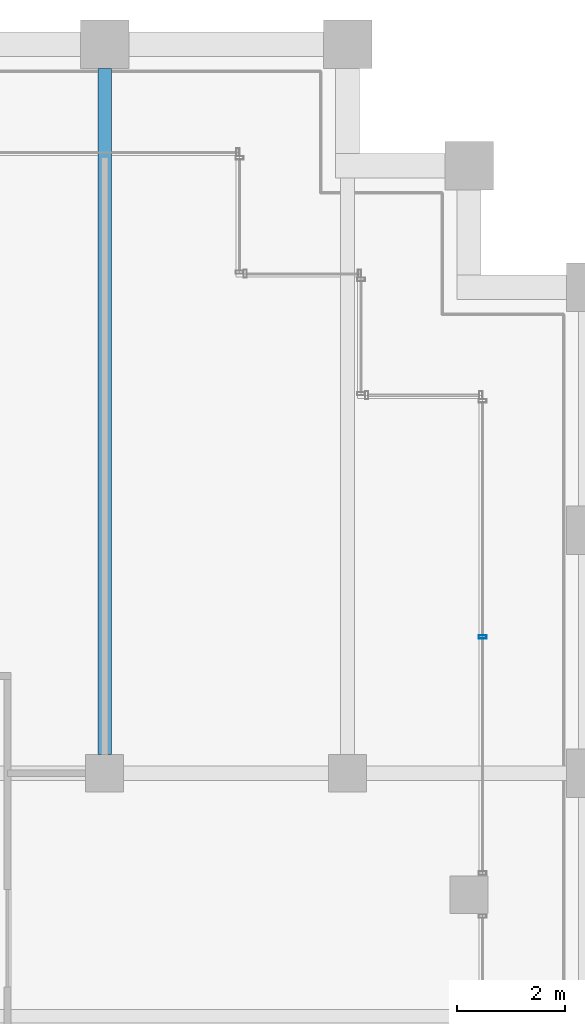
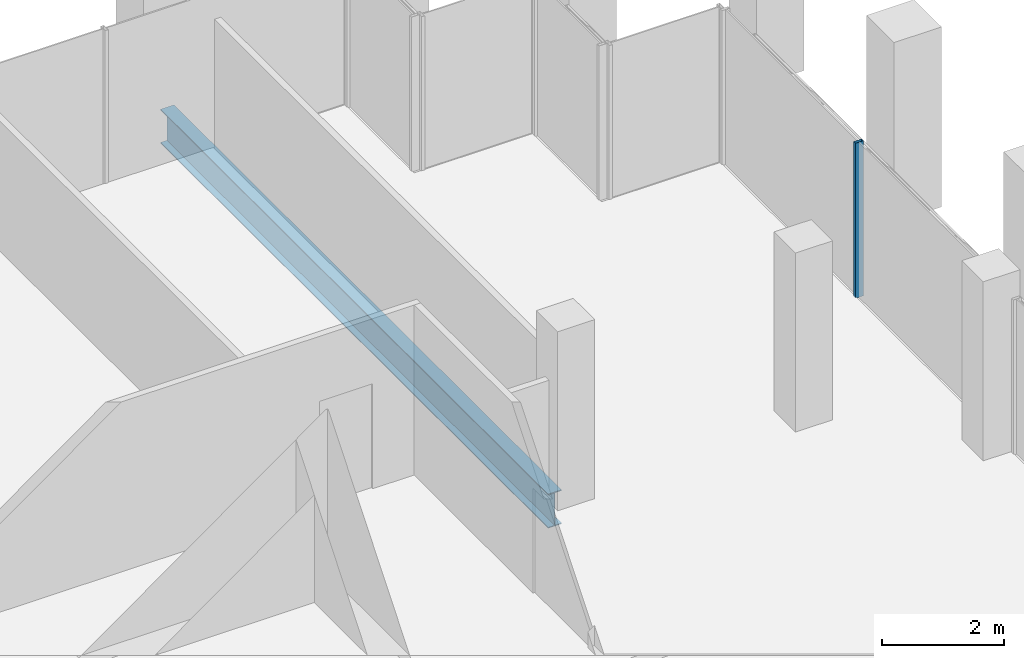
# One storey, part 24 of 40: 1 beam, 1 member, 1 element without a shape of its own.
"""IFC4 building model written with IfcOpenShell, lengths in metres."""

import ifcopenshell
import ifcopenshell.guid

model = None  # the IFC model being written
_history = None  # IfcOwnerHistory: only IFC2X3 demands one
_inside = {}  # id of a spatial element -> (the spatial element, [elements in it])
_under = {}  # id of a project, library or spatial element -> (it, [spatial elements below it])
_declared = {}  # id of a project -> (the project, [libraries it declares])
_typed = {}  # id of a type object -> (the type object, [elements of that type])
_made_of = {}  # id of a material, layer set ... -> (it, [elements and type objects made of it])


def new_model(schema):
    """Start an empty IFC model of exactly this schema.

    Asked for "IFC4X3", IfcOpenShell would pick the latest addendum, in which some entities
    have other attributes; the version numbers below select the first issue.
    IFC2X3 requires an IfcOwnerHistory on every rooted entity: one is made here for all.
    """
    global model, _history
    if schema == "IFC4X3":
        model = ifcopenshell.file(schema_version=(4, 3, 0, 0))
    else:
        model = ifcopenshell.file(schema=schema)
    _inside.clear()
    _under.clear()
    _declared.clear()
    _typed.clear()
    _made_of.clear()
    _history = None
    if model.schema == "IFC2X3":
        org = make("IfcOrganization", Name="unknown")
        user = make(
            "IfcPersonAndOrganization",
            ThePerson=make("IfcPerson", FamilyName="unknown"),
            TheOrganization=org,
        )
        app = make(
            "IfcApplication",
            ApplicationDeveloper=org,
            Version="unknown",
            ApplicationFullName="unknown",
            ApplicationIdentifier="unknown",
        )
        _history = make(
            "IfcOwnerHistory",
            OwningUser=user,
            OwningApplication=app,
            ChangeAction="ADDED",
            CreationDate=0,
        )
    return model


def make(cls, **values):
    """One entity of the class cls with the attributes given. An attribute that is None is left unset."""
    return model.create_entity(
        cls, **{name: value for name, value in values.items() if value is not None}
    )


def rooted(cls, **values):
    """An entity with a GlobalId (a new one), such as an element, a storey or a relation."""
    return make(cls, GlobalId=ifcopenshell.guid.new(), OwnerHistory=_history, **values)


def si_unit(unit_type, name, prefix=None):
    """IfcSIUnit, for example si_unit("LENGTHUNIT", "METRE", prefix="MILLI")."""
    return make("IfcSIUnit", UnitType=unit_type, Prefix=prefix, Name=name)


def assignment(units):
    """IfcUnitAssignment: the units of a project."""
    return None if units is None else make("IfcUnitAssignment", Units=units)


def point(xyz):
    """IfcCartesianPoint."""
    return None if xyz is None else make("IfcCartesianPoint", Coordinates=xyz)


def direction(xyz):
    """IfcDirection."""
    return None if xyz is None else make("IfcDirection", DirectionRatios=xyz)


def frame(location, z_axis=None, x_axis=None):
    """IfcAxis2Placement3D, a coordinate frame: its origin and axes. An axis left out is left unset."""
    return make(
        "IfcAxis2Placement3D",
        Location=point(location),
        Axis=direction(z_axis),
        RefDirection=direction(x_axis),
    )


def frame_2d(location, x_axis=None):
    """IfcAxis2Placement2D, a coordinate frame in the plane: its origin and x axis."""
    return make(
        "IfcAxis2Placement2D", Location=point(location), RefDirection=direction(x_axis)
    )


def origin():
    """The frame at (0, 0, 0) with its axes left unset."""
    return frame((0.0, 0.0, 0.0))


def origin_2d():
    """The frame at (0, 0) in the plane with its x axis left unset."""
    return frame_2d((0.0, 0.0))


def place(relative_to, where):
    """IfcLocalPlacement: puts the frame where relative to a parent placement (None: the world)."""
    return make(
        "IfcLocalPlacement", PlacementRelTo=relative_to, RelativePlacement=where
    )


def context(
    kind, dimensions, precision=None, world=None, true_north=None, identifier=None
):
    """IfcGeometricRepresentationContext, for example the 3D "Model" context."""
    return make(
        "IfcGeometricRepresentationContext",
        ContextIdentifier=identifier,
        ContextType=kind,
        CoordinateSpaceDimension=dimensions,
        Precision=precision,
        WorldCoordinateSystem=world,
        TrueNorth=true_north,
    )


def subcontext(parent, identifier, kind, view, scale=None):
    """IfcGeometricRepresentationSubContext, for example "Body" below "Model"."""
    return make(
        "IfcGeometricRepresentationSubContext",
        ContextIdentifier=identifier,
        ContextType=kind,
        ParentContext=parent,
        TargetScale=scale,
        TargetView=view,
    )


def project(units=None, contexts=None):
    """IfcProject with its units and contexts."""
    return rooted(
        "IfcProject",
        Name="project",
        RepresentationContexts=contexts,
        UnitsInContext=assignment(units),
    )


def spatial(cls, under=None, at=None, **own):
    """A site, building, storey or space (cls), placed at a placement, below another one or the project."""
    s = rooted(cls, ObjectPlacement=at, **own)
    if under is not None:
        _under.setdefault(under.id(), (under, []))[1].append(s)
    return s


def profile(cls, at=None, kind="AREA", **sizes):
    """A parametric profile (cls). Its sizes go by their IFC names, for example OverallWidth=200.0."""
    return make(cls, ProfileType=kind, Position=at, **sizes)


def hollow_rectangle(**sizes):
    """IfcRectangleHollowProfileDef."""
    return profile("IfcRectangleHollowProfileDef", **sizes)


def i_section(**sizes):
    """IfcIShapeProfileDef."""
    return profile("IfcIShapeProfileDef", **sizes)


def extrude(swept, where, along, depth):
    """IfcExtrudedAreaSolid: the profile swept, set in the frame where, extruded along a direction by depth."""
    return make(
        "IfcExtrudedAreaSolid",
        SweptArea=swept,
        Position=where,
        ExtrudedDirection=direction(along),
        Depth=depth,
    )


def shape(context_of_items, identifier, shape_type, items):
    """IfcShapeRepresentation: the items that make up one representation, for example the "Body"."""
    return make(
        "IfcShapeRepresentation",
        ContextOfItems=context_of_items,
        RepresentationIdentifier=identifier,
        RepresentationType=shape_type,
        Items=items,
    )


def material(Name=None, Category=None):
    """IfcMaterial."""
    return make("IfcMaterial", Name=Name, Category=Category)


def material_profile(
    of_material, cross_section, Name=None, Category=None, Priority=None
):
    """IfcMaterialProfile: a cross section and its material."""
    return make(
        "IfcMaterialProfile",
        Name=Name,
        Material=of_material,
        Profile=cross_section,
        Priority=Priority,
        Category=Category,
    )


def profile_set(profiles, Name=None, composite=None):
    """IfcMaterialProfileSet."""
    return make(
        "IfcMaterialProfileSet",
        Name=Name,
        MaterialProfiles=profiles,
        CompositeProfile=composite,
    )


def made_of(thing, what):
    """Note that an element or type object is made of a material, layer set ...; save() writes the relation."""
    if what is not None:
        _made_of.setdefault(what.id(), (what, []))[1].append(thing)
    return thing


def type_object(cls, material=None, **own):
    """A type object (cls), such as IfcWallType, which elements share."""
    return made_of(rooted(cls, **own), material)


def element(
    cls,
    number,
    at=None,
    inside=None,
    cuts=None,
    type_object=None,
    material=None,
    context=None,
    identifier="Body",
    shape_type=None,
    held_by="IfcProductDefinitionShape",
    body=None,
    shapes=None,
    **own,
):
    """One element of the class cls, such as IfcWall. Its Tag is "e" and its number.

    at: its placement. inside: the storey or other place that contains it. cuts: it is an
    opening in that element (IfcRelVoidsElement). A single representation is given by context,
    identifier, shape_type and body (its items); several are given by shapes. held_by: the class
    of the entity that holds the representations. save() writes the other relations.
    """
    e = rooted(cls, Tag="e%d" % number, ObjectPlacement=at, **own)
    if body is not None:
        shapes = [shape(context, identifier, shape_type, body)]
    if shapes is not None:
        e.Representation = make(held_by, Representations=shapes)
    if inside is not None:
        _inside.setdefault(inside.id(), (inside, []))[1].append(e)
    if cuts is not None:
        rooted(
            "IfcRelVoidsElement", RelatingBuildingElement=cuts, RelatedOpeningElement=e
        )
    if type_object is not None:
        _typed.setdefault(type_object.id(), (type_object, []))[1].append(e)
    return made_of(e, material)


def aggregate(whole, parts):
    """IfcRelAggregates: a whole, such as a stair, and the parts it consists of."""
    return rooted("IfcRelAggregates", RelatingObject=whole, RelatedObjects=parts)


def save(model, path):
    """Write the relations noted so far, then the file.

    IfcRelAggregates (storeys below a building ...), IfcRelContainedInSpatialStructure (elements
    in a storey), IfcRelDefinesByType, IfcRelAssociatesMaterial and IfcRelDeclares: one each for
    every whole, place, type object, material and project.
    """
    for whole, parts in _under.values():
        aggregate(whole, parts)
    for where, things in _inside.values():
        rooted(
            "IfcRelContainedInSpatialStructure",
            RelatedElements=things,
            RelatingStructure=where,
        )
    for kind, things in _typed.values():
        rooted("IfcRelDefinesByType", RelatedObjects=things, RelatingType=kind)
    for what, things in _made_of.values():
        rooted("IfcRelAssociatesMaterial", RelatedObjects=things, RelatingMaterial=what)
    for by, libraries in _declared.values():
        rooted("IfcRelDeclares", RelatingContext=by, RelatedDefinitions=libraries)
    model.write(path)


model = new_model("IFC4")

# Units and contexts
model_context = context("Model", 3, precision=1e-05, world=origin(), true_north=direction((0.0, 1.0)))
body_context = subcontext(model_context, "Body", "Model", "MODEL_VIEW")
ifc_project = project(units=[si_unit("LENGTHUNIT", "METRE"), si_unit("AREAUNIT", "SQUARE_METRE"), si_unit("VOLUMEUNIT", "CUBIC_METRE"), si_unit("PLANEANGLEUNIT", "RADIAN"), si_unit("MASSUNIT", "GRAM", prefix="KILO")], contexts=[model_context])

# Site, building, storey
site_placement = place(None, origin())
site = spatial("IfcSite", under=ifc_project, at=site_placement, CompositionType="ELEMENT")
building_placement = place(site_placement, origin())
building = spatial("IfcBuilding", under=site, at=building_placement, Name="Altepetl Exchange Towers", CompositionType="ELEMENT")
storey_placement = place(building_placement, frame((0.0, 0.0, 187.0)))
storey = spatial("IfcBuildingStorey", under=building, at=storey_placement, Name="L47", CompositionType="ELEMENT", Elevation=187.0)

# Beam
ifc_material_1 = material(Name="Steel S355", Category="steel")
ifc_material_profile_1 = material_profile(ifc_material_1, i_section(OverallWidth=0.25390625, OverallDepth=0.68408203125, WebThickness=0.012451171875, FlangeThickness=0.018798828125, at=origin_2d()), Name="W27X94")
ifc_profile_set_1 = profile_set([ifc_material_profile_1], Name="Steel S355")
beam_type = type_object("IfcBeamType", Name="Floor beam W27X94", PredefinedType="BEAM", material=ifc_profile_set_1)
beam_placement = place(storey_placement, frame((63.0, 58.85009765625, -0.491943359375), z_axis=(0.0, 1.0, 0.0), x_axis=(-1.0, 0.0, 0.0)))
element("IfcBeam", 1, at=beam_placement, inside=storey, type_object=beam_type, Name="bm:A:L47:004", PredefinedType="BEAM", context=body_context, shape_type="SweptSolid", body=[
    extrude(i_section(OverallWidth=0.25390625, OverallDepth=0.68408203125, WebThickness=0.012451171875, FlangeThickness=0.018798828125, at=origin_2d()), origin(), (0.0, 0.0, 1.0), 12.699951171875),
])

# Curtain wall, member
ifc_material_2 = material(Name="Aluminium 6063-T6 glazing", Category="aluminium")
curtain_wall_type = type_object("IfcCurtainWallType", Name="Loggia glazing system", PredefinedType="NOTDEFINED", material=ifc_material_2)
curtain_wall_placement = place(storey_placement, origin())
curtain_wall = element("IfcCurtainWall", 2, at=curtain_wall_placement, inside=storey, type_object=curtain_wall_type, Name="CW1 run", PredefinedType="NOTDEFINED")
ifc_material_3 = material(Name="Aluminium 6063-T6", Category="aluminium")
ifc_material_profile_2 = material_profile(ifc_material_3, hollow_rectangle(XDim=0.06005859375, YDim=0.14990234375, WallThickness=0.0029296875, at=origin_2d()), Name="Mullion 60x150 aluminium")
ifc_profile_set_2 = profile_set([ifc_material_profile_2], Name="Aluminium 6063-T6")
member_type = type_object("IfcMemberType", Name="Mullion 60x150 aluminium", PredefinedType="MULLION", material=ifc_profile_set_2)
member_placement = place(storey_placement, frame((70.0, 61.0224609375, 0.0), z_axis=(0.0, 0.0, 1.0), x_axis=(0.0, 1.0, 0.0)))
member = element("IfcMember", 3, at=member_placement, type_object=member_type, Name="MU1 mullion", PredefinedType="MULLION", context=body_context, shape_type="SweptSolid", body=[
    extrude(hollow_rectangle(XDim=0.06005859375, YDim=0.14990234375, WallThickness=0.0029296875, at=origin_2d()), origin(), (0.0, 0.0, 1.0), 3.10009765625),
])
aggregate(curtain_wall, [member])

save(model, "model.ifc")
